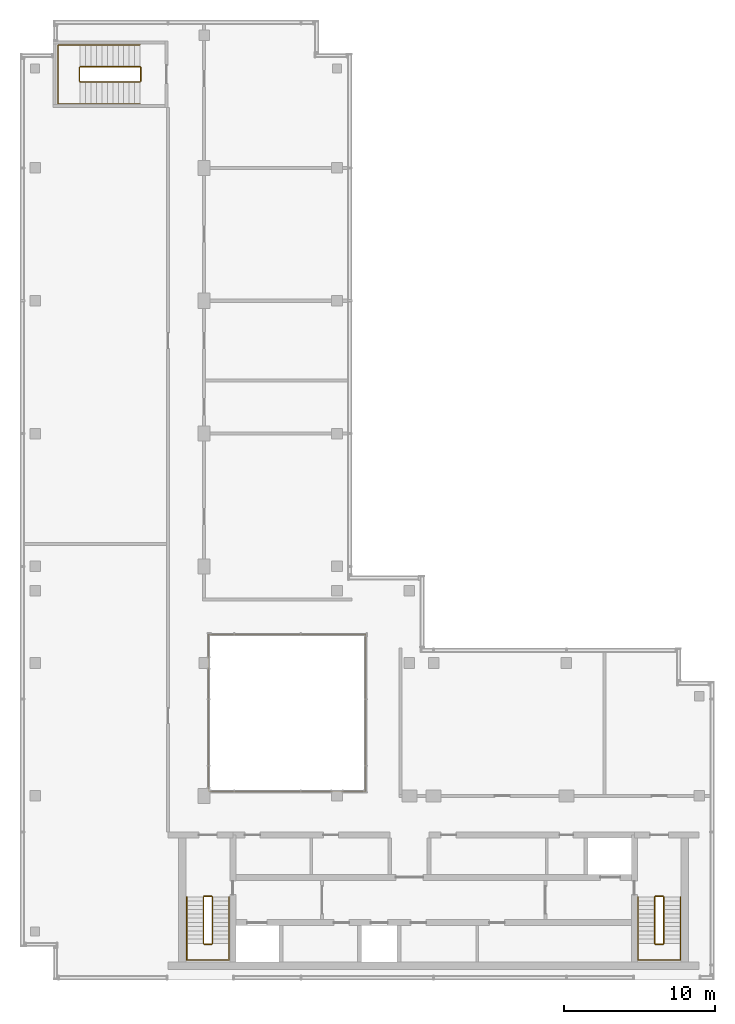
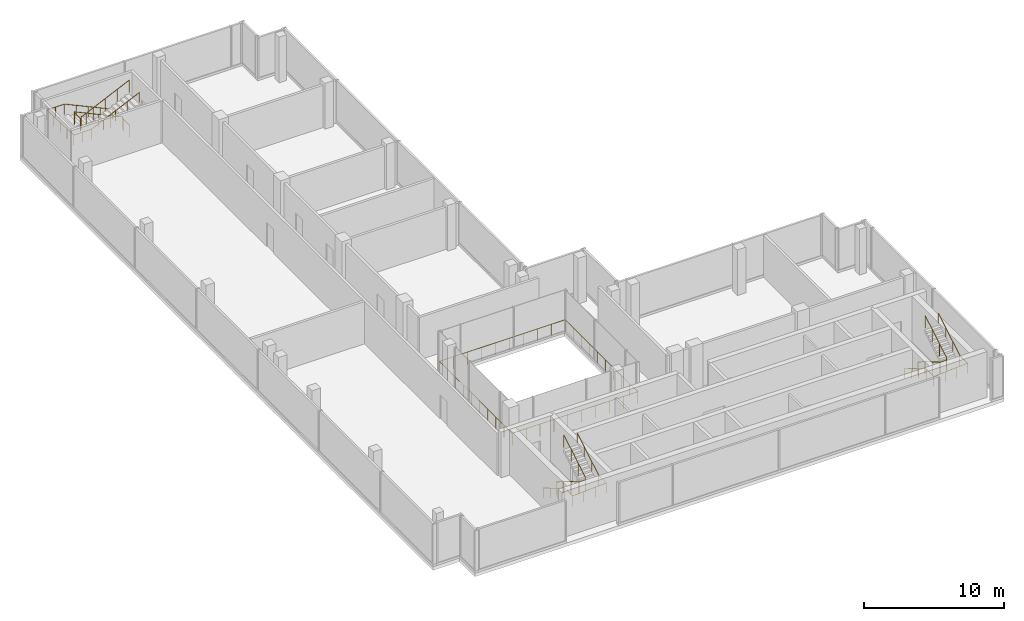
# One storey, part 10 of 10: 7 railings.
"""IFC4 building model written with IfcOpenShell, lengths in metres."""

from ifc_helpers import new_model, si_unit, direction, frame, origin, origin_2d, place, context, subcontext, project, spatial, circle, extrude, material, type_object, element, save


model = new_model("IFC4")

# Units and contexts
model_context = context("Model", 3, precision=1e-05, world=origin(), true_north=direction((0.0, 1.0)))
body_context = subcontext(model_context, "Body", "Model", "MODEL_VIEW")
ifc_project = project(units=[si_unit("LENGTHUNIT", "METRE"), si_unit("AREAUNIT", "SQUARE_METRE"), si_unit("VOLUMEUNIT", "CUBIC_METRE"), si_unit("PLANEANGLEUNIT", "RADIAN"), si_unit("MASSUNIT", "GRAM", prefix="KILO")], contexts=[model_context])

# Site, building, storey
site_placement = place(None, origin())
site = spatial("IfcSite", under=ifc_project, at=site_placement, CompositionType="ELEMENT")
building_placement = place(site_placement, origin())
building = spatial("IfcBuilding", under=site, at=building_placement, Name="Kemantara Hotel Tower", CompositionType="ELEMENT")
storey_placement = place(building_placement, frame((0.0, 0.0, 318.199951171875)))
storey = spatial("IfcBuildingStorey", under=building, at=storey_placement, Name="L80", CompositionType="ELEMENT", Elevation=318.199951171875)

# Railings
ifc_material = material(Name="Stainless steel balustrade", Category="steel")
railing_type_1 = type_object("IfcRailingType", Name="STAINLESS STEEL GUARD 1100", PredefinedType="GUARDRAIL", material=ifc_material)
railing_1_placement = place(storey_placement, frame((12.5, 12.5, 0.0)))
element("IfcRailing", 1, at=railing_1_placement, inside=storey, type_object=railing_type_1, Name="ATRIUM GUARD", PredefinedType="GUARDRAIL", context=body_context, shape_type="SweptSolid", body=[
    extrude(circle(Radius=0.02392578125, at=origin_2d()), frame((0.0, 0.0, 1.076171875), z_axis=(1.0, 0.0, 0.0), x_axis=(0.0, 1.0, 0.0)), (0.0, 0.0, 1.0), 10.39990234375),
    extrude(circle(Radius=0.02392578125, at=origin_2d()), frame((10.39990234375, 0.0, 1.076171875), z_axis=(0.0, 1.0, 0.0), x_axis=(-1.0, 0.0, 0.0)), (0.0, 0.0, 1.0), 10.39990234375),
    extrude(circle(Radius=0.02392578125, at=origin_2d()), frame((10.39990234375, 10.39990234375, 1.076171875), z_axis=(-1.0, 0.0, 0.0), x_axis=(0.0, -1.0, 0.0)), (0.0, 0.0, 1.0), 10.39990234375),
    extrude(circle(Radius=0.02392578125, at=origin_2d()), frame((0.0, 10.39990234375, 1.076171875), z_axis=(0.0, -1.0, 0.0), x_axis=(1.0, 0.0, 0.0)), (0.0, 0.0, 1.0), 10.39990234375),
    extrude(circle(Radius=0.02099609375, at=origin_2d()), origin(), (0.0, 0.0, 1.0), 1.052001953125),
    extrude(circle(Radius=0.02099609375, at=origin_2d()), frame((1.155517578125, 0.0, 0.0)), (0.0, 0.0, 1.0), 1.052001953125),
    extrude(circle(Radius=0.02099609375, at=origin_2d()), frame((2.31103515625, 0.0, 0.0)), (0.0, 0.0, 1.0), 1.052001953125),
    extrude(circle(Radius=0.02099609375, at=origin_2d()), frame((3.466552734375, 0.0, 0.0)), (0.0, 0.0, 1.0), 1.052001953125),
    extrude(circle(Radius=0.02099609375, at=origin_2d()), frame((4.6220703125, 0.0, 0.0)), (0.0, 0.0, 1.0), 1.052001953125),
    extrude(circle(Radius=0.02099609375, at=origin_2d()), frame((5.77783203125, 0.0, 0.0)), (0.0, 0.0, 1.0), 1.052001953125),
    extrude(circle(Radius=0.02099609375, at=origin_2d()), frame((6.933349609375, 0.0, 0.0)), (0.0, 0.0, 1.0), 1.052001953125),
    extrude(circle(Radius=0.02099609375, at=origin_2d()), frame((8.0888671875, 0.0, 0.0)), (0.0, 0.0, 1.0), 1.052001953125),
    extrude(circle(Radius=0.02099609375, at=origin_2d()), frame((9.244384765625, 0.0, 0.0)), (0.0, 0.0, 1.0), 1.052001953125),
    extrude(circle(Radius=0.02099609375, at=origin_2d()), frame((10.39990234375, 0.0, 0.0)), (0.0, 0.0, 1.0), 1.052001953125),
    extrude(circle(Radius=0.02099609375, at=origin_2d()), frame((10.39990234375, 1.155517578125, 0.0)), (0.0, 0.0, 1.0), 1.052001953125),
    extrude(circle(Radius=0.02099609375, at=origin_2d()), frame((10.39990234375, 2.31103515625, 0.0)), (0.0, 0.0, 1.0), 1.052001953125),
    extrude(circle(Radius=0.02099609375, at=origin_2d()), frame((10.39990234375, 3.466552734375, 0.0)), (0.0, 0.0, 1.0), 1.052001953125),
    extrude(circle(Radius=0.02099609375, at=origin_2d()), frame((10.39990234375, 4.6220703125, 0.0)), (0.0, 0.0, 1.0), 1.052001953125),
    extrude(circle(Radius=0.02099609375, at=origin_2d()), frame((10.39990234375, 5.77783203125, 0.0)), (0.0, 0.0, 1.0), 1.052001953125),
    extrude(circle(Radius=0.02099609375, at=origin_2d()), frame((10.39990234375, 6.933349609375, 0.0)), (0.0, 0.0, 1.0), 1.052001953125),
    extrude(circle(Radius=0.02099609375, at=origin_2d()), frame((10.39990234375, 8.0888671875, 0.0)), (0.0, 0.0, 1.0), 1.052001953125),
    extrude(circle(Radius=0.02099609375, at=origin_2d()), frame((10.39990234375, 9.244384765625, 0.0)), (0.0, 0.0, 1.0), 1.052001953125),
    extrude(circle(Radius=0.02099609375, at=origin_2d()), frame((10.39990234375, 10.39990234375, 0.0)), (0.0, 0.0, 1.0), 1.052001953125),
    extrude(circle(Radius=0.02099609375, at=origin_2d()), frame((9.244384765625, 10.39990234375, 0.0)), (0.0, 0.0, 1.0), 1.052001953125),
    extrude(circle(Radius=0.02099609375, at=origin_2d()), frame((8.0888671875, 10.39990234375, 0.0)), (0.0, 0.0, 1.0), 1.052001953125),
    extrude(circle(Radius=0.02099609375, at=origin_2d()), frame((6.933349609375, 10.39990234375, 0.0)), (0.0, 0.0, 1.0), 1.052001953125),
    extrude(circle(Radius=0.02099609375, at=origin_2d()), frame((5.77783203125, 10.39990234375, 0.0)), (0.0, 0.0, 1.0), 1.052001953125),
    extrude(circle(Radius=0.02099609375, at=origin_2d()), frame((4.6220703125, 10.39990234375, 0.0)), (0.0, 0.0, 1.0), 1.052001953125),
    extrude(circle(Radius=0.02099609375, at=origin_2d()), frame((3.466552734375, 10.39990234375, 0.0)), (0.0, 0.0, 1.0), 1.052001953125),
    extrude(circle(Radius=0.02099609375, at=origin_2d()), frame((2.31103515625, 10.39990234375, 0.0)), (0.0, 0.0, 1.0), 1.052001953125),
    extrude(circle(Radius=0.02099609375, at=origin_2d()), frame((1.155517578125, 10.39990234375, 0.0)), (0.0, 0.0, 1.0), 1.052001953125),
    extrude(circle(Radius=0.02099609375, at=origin_2d()), frame((0.0, 10.39990234375, 0.0)), (0.0, 0.0, 1.0), 1.052001953125),
    extrude(circle(Radius=0.02099609375, at=origin_2d()), frame((0.0, 9.244384765625, 0.0)), (0.0, 0.0, 1.0), 1.052001953125),
    extrude(circle(Radius=0.02099609375, at=origin_2d()), frame((0.0, 8.0888671875, 0.0)), (0.0, 0.0, 1.0), 1.052001953125),
    extrude(circle(Radius=0.02099609375, at=origin_2d()), frame((0.0, 6.933349609375, 0.0)), (0.0, 0.0, 1.0), 1.052001953125),
    extrude(circle(Radius=0.02099609375, at=origin_2d()), frame((0.0, 5.77783203125, 0.0)), (0.0, 0.0, 1.0), 1.052001953125),
    extrude(circle(Radius=0.02099609375, at=origin_2d()), frame((0.0, 4.6220703125, 0.0)), (0.0, 0.0, 1.0), 1.052001953125),
    extrude(circle(Radius=0.02099609375, at=origin_2d()), frame((0.0, 3.466552734375, 0.0)), (0.0, 0.0, 1.0), 1.052001953125),
    extrude(circle(Radius=0.02099609375, at=origin_2d()), frame((0.0, 2.31103515625, 0.0)), (0.0, 0.0, 1.0), 1.052001953125),
    extrude(circle(Radius=0.02099609375, at=origin_2d()), frame((0.0, 1.155517578125, 0.0)), (0.0, 0.0, 1.0), 1.052001953125),
])
railing_type_2 = type_object("IfcRailingType", Name="Stair guard 1100 mm", PredefinedType="GUARDRAIL", material=ifc_material)
railing_2_placement = place(storey_placement, frame((12.75, 5.5, 4.0)))
element("IfcRailing", 2, at=railing_2_placement, inside=storey, type_object=railing_type_2, Name="L80 ST1 stair guard 1", PredefinedType="GUARDRAIL", context=body_context, shape_type="SweptSolid", body=[
    extrude(circle(Radius=0.02392578125, at=origin_2d()), frame((0.0, 0.0, 1.076171875), z_axis=(0.0, -0.859308565015, -0.511457515432), x_axis=(1.0, 0.0, 0.0)), (0.0, 0.0, 1.0), 3.58447265625),
    extrude(circle(Radius=0.02392578125, at=origin_2d()), frame((0.0, -3.080078125, -0.75732421875), z_axis=(-0.276389281352, -0.275041040955, -0.920848191041), x_axis=(0.705375805398, -0.708833529934, 0.0)), (0.0, 0.0, 1.0), 0.18115234375),
    extrude(circle(Radius=0.02392578125, at=origin_2d()), frame((-0.050048828125, -3.1298828125, -0.923828125), z_axis=(-1.0, 0.0, 0.0), x_axis=(0.0, -1.0, 0.0)), (0.0, 0.0, 1.0), 0.5),
    extrude(circle(Radius=0.02392578125, at=origin_2d()), frame((-0.550048828125, -3.1298828125, -0.923828125), z_axis=(-0.708833529934, 0.705375805398, 0.0), x_axis=(-0.705375805398, -0.708833529934, 0.0)), (0.0, 0.0, 1.0), 0.070556640625),
    extrude(circle(Radius=0.02392578125, at=origin_2d()), frame((-0.60009765625, -3.080078125, -0.923828125), z_axis=(0.0, 0.859308565015, -0.511457515432), x_axis=(-1.0, 0.0, 0.0)), (0.0, 0.0, 1.0), 3.58447265625),
    extrude(circle(Radius=0.02392578125, at=origin_2d()), frame((-0.60009765625, 0.0, -2.75732421875), z_axis=(0.27628659633, 0.27628659633, -0.920506074601), x_axis=(-0.707106781187, 0.707106781187, 0.0)), (0.0, 0.0, 1.0), 0.18115234375),
    extrude(circle(Radius=0.02392578125, at=origin_2d()), frame((-0.550048828125, 0.050048828125, -2.923828125), z_axis=(1.0, 0.0, 0.0), x_axis=(0.0, 1.0, 0.0)), (0.0, 0.0, 1.0), 0.5),
    extrude(circle(Radius=0.02099609375, at=origin_2d()), origin(), (0.0, 0.0, 1.0), 1.052001953125),
    extrude(circle(Radius=0.02099609375, at=origin_2d()), frame((0.0, -1.026611328125, -0.611083984375)), (0.0, 0.0, 1.0), 1.052001953125),
    extrude(circle(Radius=0.02099609375, at=origin_2d()), frame((0.0, -2.053466796875, -1.22216796875)), (0.0, 0.0, 1.0), 1.052001953125),
    extrude(circle(Radius=0.02099609375, at=origin_2d()), frame((0.0, -3.080078125, -1.833251953125)), (0.0, 0.0, 1.0), 1.052001953125),
    extrude(circle(Radius=0.02099609375, at=origin_2d()), frame((-0.050048828125, -3.1298828125, -2.0)), (0.0, 0.0, 1.0), 1.052001953125),
    extrude(circle(Radius=0.02099609375, at=origin_2d()), frame((-0.550048828125, -3.1298828125, -2.0)), (0.0, 0.0, 1.0), 1.052001953125),
    extrude(circle(Radius=0.02099609375, at=origin_2d()), frame((-0.60009765625, -3.080078125, -2.0)), (0.0, 0.0, 1.0), 1.052001953125),
    extrude(circle(Radius=0.02099609375, at=origin_2d()), frame((-0.60009765625, -2.053466796875, -2.611083984375)), (0.0, 0.0, 1.0), 1.052001953125),
    extrude(circle(Radius=0.02099609375, at=origin_2d()), frame((-0.60009765625, -1.026611328125, -3.22216796875)), (0.0, 0.0, 1.0), 1.052001953125),
    extrude(circle(Radius=0.02099609375, at=origin_2d()), frame((-0.60009765625, 0.0, -3.833251953125)), (0.0, 0.0, 1.0), 1.052001953125),
    extrude(circle(Radius=0.02099609375, at=origin_2d()), frame((-0.550048828125, 0.050048828125, -4.0)), (0.0, 0.0, 1.0), 1.052001953125),
    extrude(circle(Radius=0.02099609375, at=origin_2d()), frame((-0.050048828125, 0.050048828125, -4.0)), (0.0, 0.0, 1.0), 1.052001953125),
])
railing_3_placement = place(storey_placement, frame((42.64990234375, 5.5, 4.0)))
element("IfcRailing", 3, at=railing_3_placement, inside=storey, type_object=railing_type_2, Name="L80 ST2 stair guard 1", PredefinedType="GUARDRAIL", context=body_context, shape_type="SweptSolid", body=[
    extrude(circle(Radius=0.02392578125, at=origin_2d()), frame((0.0, 0.0, 1.076171875), z_axis=(0.0, -0.859308565015, -0.511457515432), x_axis=(1.0, 0.0, 0.0)), (0.0, 0.0, 1.0), 3.58447265625),
    extrude(circle(Radius=0.02392578125, at=origin_2d()), frame((0.0, -3.080078125, -0.75732421875), z_axis=(-0.275143339093, -0.275143339093, -0.92119068922), x_axis=(0.707106781187, -0.707106781187, 0.0)), (0.0, 0.0, 1.0), 0.180908203125),
    extrude(circle(Radius=0.02392578125, at=origin_2d()), frame((-0.0498046875, -3.1298828125, -0.923828125), z_axis=(-1.0, 0.0, 0.0), x_axis=(0.0, -1.0, 0.0)), (0.0, 0.0, 1.0), 0.5),
    extrude(circle(Radius=0.02392578125, at=origin_2d()), frame((-0.5498046875, -3.1298828125, -0.923828125), z_axis=(-0.708833529934, 0.705375805398, 0.0), x_axis=(-0.705375805398, -0.708833529934, 0.0)), (0.0, 0.0, 1.0), 0.070556640625),
    extrude(circle(Radius=0.02392578125, at=origin_2d()), frame((-0.599853515625, -3.080078125, -0.923828125), z_axis=(0.0, 0.859308565015, -0.511457515432), x_axis=(-1.0, 0.0, 0.0)), (0.0, 0.0, 1.0), 3.58447265625),
    extrude(circle(Radius=0.02392578125, at=origin_2d()), frame((-0.599853515625, 0.0, -2.75732421875), z_axis=(0.27628659633, 0.27628659633, -0.920506074601), x_axis=(-0.707106781187, 0.707106781187, 0.0)), (0.0, 0.0, 1.0), 0.18115234375),
    extrude(circle(Radius=0.02392578125, at=origin_2d()), frame((-0.5498046875, 0.050048828125, -2.923828125), z_axis=(1.0, 0.0, 0.0), x_axis=(0.0, 1.0, 0.0)), (0.0, 0.0, 1.0), 0.5),
    extrude(circle(Radius=0.02099609375, at=origin_2d()), origin(), (0.0, 0.0, 1.0), 1.052001953125),
    extrude(circle(Radius=0.02099609375, at=origin_2d()), frame((0.0, -1.026611328125, -0.611083984375)), (0.0, 0.0, 1.0), 1.052001953125),
    extrude(circle(Radius=0.02099609375, at=origin_2d()), frame((0.0, -2.053466796875, -1.22216796875)), (0.0, 0.0, 1.0), 1.052001953125),
    extrude(circle(Radius=0.02099609375, at=origin_2d()), frame((0.0, -3.080078125, -1.833251953125)), (0.0, 0.0, 1.0), 1.052001953125),
    extrude(circle(Radius=0.02099609375, at=origin_2d()), frame((-0.0498046875, -3.1298828125, -2.0)), (0.0, 0.0, 1.0), 1.052001953125),
    extrude(circle(Radius=0.02099609375, at=origin_2d()), frame((-0.5498046875, -3.1298828125, -2.0)), (0.0, 0.0, 1.0), 1.052001953125),
    extrude(circle(Radius=0.02099609375, at=origin_2d()), frame((-0.599853515625, -3.080078125, -2.0)), (0.0, 0.0, 1.0), 1.052001953125),
    extrude(circle(Radius=0.02099609375, at=origin_2d()), frame((-0.599853515625, -2.053466796875, -2.611083984375)), (0.0, 0.0, 1.0), 1.052001953125),
    extrude(circle(Radius=0.02099609375, at=origin_2d()), frame((-0.599853515625, -1.026611328125, -3.22216796875)), (0.0, 0.0, 1.0), 1.052001953125),
    extrude(circle(Radius=0.02099609375, at=origin_2d()), frame((-0.599853515625, 0.0, -3.833251953125)), (0.0, 0.0, 1.0), 1.052001953125),
    extrude(circle(Radius=0.02099609375, at=origin_2d()), frame((-0.5498046875, 0.050048828125, -4.0)), (0.0, 0.0, 1.0), 1.052001953125),
    extrude(circle(Radius=0.02099609375, at=origin_2d()), frame((-0.0498046875, 0.050048828125, -4.0)), (0.0, 0.0, 1.0), 1.052001953125),
])
railing_4_placement = place(storey_placement, frame((7.949951171875, 59.5, 4.0)))
element("IfcRailing", 4, at=railing_4_placement, inside=storey, type_object=railing_type_2, Name="L80 ST4 stair guard 1", PredefinedType="GUARDRAIL", context=body_context, shape_type="SweptSolid", body=[
    extrude(circle(Radius=0.02392578125, at=origin_2d()), frame((0.0, 0.0, 1.076171875), z_axis=(-0.907472437036, 0.0, -0.420111623286), x_axis=(0.0, -1.0, 0.0)), (0.0, 0.0, 1.0), 4.36376953125),
    extrude(circle(Radius=0.02392578125, at=origin_2d()), frame((-3.9599609375, 0.0, -0.75732421875), z_axis=(-0.27628659633, 0.27628659633, -0.920506074601), x_axis=(-0.707106781187, -0.707106781187, 0.0)), (0.0, 0.0, 1.0), 0.18115234375),
    extrude(circle(Radius=0.02392578125, at=origin_2d()), frame((-4.010009765625, 0.050048828125, -0.923828125), z_axis=(0.0, 1.0, 0.0), x_axis=(-1.0, 0.0, 0.0)), (0.0, 0.0, 1.0), 0.89990234375),
    extrude(circle(Radius=0.02392578125, at=origin_2d()), frame((-4.010009765625, 0.949951171875, -0.923828125), z_axis=(0.707106781187, 0.707106781187, 0.0), x_axis=(-0.707106781187, 0.707106781187, 0.0)), (0.0, 0.0, 1.0), 0.07080078125),
    extrude(circle(Radius=0.02392578125, at=origin_2d()), frame((-3.9599609375, 1.0, -0.923828125), z_axis=(0.907472437036, 0.0, -0.420111623286), x_axis=(0.0, 1.0, 0.0)), (0.0, 0.0, 1.0), 4.36376953125),
    extrude(circle(Radius=0.02392578125, at=origin_2d()), frame((0.0, 1.0, -2.75732421875), z_axis=(0.27628659633, -0.27628659633, -0.920506074601), x_axis=(0.707106781187, 0.707106781187, 0.0)), (0.0, 0.0, 1.0), 0.18115234375),
    extrude(circle(Radius=0.02392578125, at=origin_2d()), frame((0.050048828125, 0.949951171875, -2.923828125), z_axis=(0.0, -1.0, 0.0), x_axis=(1.0, 0.0, 0.0)), (0.0, 0.0, 1.0), 0.89990234375),
    extrude(circle(Radius=0.02099609375, at=origin_2d()), origin(), (0.0, 0.0, 1.0), 1.052001953125),
    extrude(circle(Radius=0.02099609375, at=origin_2d()), frame((-0.989990234375, 0.0, -0.458251953125)), (0.0, 0.0, 1.0), 1.052001953125),
    extrude(circle(Radius=0.02099609375, at=origin_2d()), frame((-1.97998046875, 0.0, -0.91650390625)), (0.0, 0.0, 1.0), 1.052001953125),
    extrude(circle(Radius=0.02099609375, at=origin_2d()), frame((-2.969970703125, 0.0, -1.375)), (0.0, 0.0, 1.0), 1.052001953125),
    extrude(circle(Radius=0.02099609375, at=origin_2d()), frame((-3.9599609375, 0.0, -1.833251953125)), (0.0, 0.0, 1.0), 1.052001953125),
    extrude(circle(Radius=0.02099609375, at=origin_2d()), frame((-4.010009765625, 0.050048828125, -2.0)), (0.0, 0.0, 1.0), 1.052001953125),
    extrude(circle(Radius=0.02099609375, at=origin_2d()), frame((-4.010009765625, 0.949951171875, -2.0)), (0.0, 0.0, 1.0), 1.052001953125),
    extrude(circle(Radius=0.02099609375, at=origin_2d()), frame((-3.9599609375, 1.0, -2.0)), (0.0, 0.0, 1.0), 1.052001953125),
    extrude(circle(Radius=0.02099609375, at=origin_2d()), frame((-2.969970703125, 1.0, -2.458251953125)), (0.0, 0.0, 1.0), 1.052001953125),
    extrude(circle(Radius=0.02099609375, at=origin_2d()), frame((-1.97998046875, 1.0, -2.91650390625)), (0.0, 0.0, 1.0), 1.052001953125),
    extrude(circle(Radius=0.02099609375, at=origin_2d()), frame((-0.989990234375, 1.0, -3.375)), (0.0, 0.0, 1.0), 1.052001953125),
    extrude(circle(Radius=0.02099609375, at=origin_2d()), frame((0.0, 1.0, -3.833251953125)), (0.0, 0.0, 1.0), 1.052001953125),
    extrude(circle(Radius=0.02099609375, at=origin_2d()), frame((0.050048828125, 0.949951171875, -4.0)), (0.0, 0.0, 1.0), 1.052001953125),
    extrude(circle(Radius=0.02099609375, at=origin_2d()), frame((0.050048828125, 0.050048828125, -4.0)), (0.0, 0.0, 1.0), 1.052001953125),
])
railing_type_3 = type_object("IfcRailingType", Name="Stair handrail 900 mm", PredefinedType="HANDRAIL", material=ifc_material)
railing_5_placement = place(storey_placement, frame((11.050048828125, 5.5, 0.166748046875)))
element("IfcRailing", 5, at=railing_5_placement, inside=storey, type_object=railing_type_3, Name="L80 ST1 stair handrail 1", PredefinedType="HANDRAIL", context=body_context, shape_type="SweptSolid", body=[
    extrude(circle(Radius=0.02392578125, at=origin_2d()), frame((0.0, 0.0, 0.8759765625), z_axis=(0.0, -0.859308565015, 0.511457515432), x_axis=(1.0, 0.0, 0.0)), (0.0, 0.0, 1.0), 3.58447265625),
    extrude(circle(Radius=0.02392578125, at=origin_2d()), frame((0.0, -3.080078125, 2.708984375), z_axis=(0.0, -1.0, 0.0), x_axis=(1.0, 0.0, 0.0)), (0.0, 0.0, 1.0), 1.099853515625),
    extrude(circle(Radius=0.02392578125, at=origin_2d()), frame((0.0, -4.179931640625, 2.708984375), z_axis=(0.998231491969, 0.0, 0.059446517483), x_axis=(0.0, 1.0, 0.0)), (0.0, 0.0, 1.0), 2.804931640625),
    extrude(circle(Radius=0.02392578125, at=origin_2d()), frame((2.800048828125, -4.179931640625, 2.8759765625), z_axis=(0.0, 1.0, 0.0), x_axis=(-1.0, 0.0, 0.0)), (0.0, 0.0, 1.0), 1.099853515625),
    extrude(circle(Radius=0.02392578125, at=origin_2d()), frame((2.800048828125, -3.080078125, 2.8759765625), z_axis=(0.0, 0.859308565015, 0.511457515432), x_axis=(-1.0, 0.0, 0.0)), (0.0, 0.0, 1.0), 3.58447265625),
    extrude(circle(Radius=0.02099609375, at=origin_2d()), origin(), (0.0, 0.0, 1.0), 0.851806640625),
    extrude(circle(Radius=0.02099609375, at=origin_2d()), frame((0.0, -1.026611328125, 0.611083984375)), (0.0, 0.0, 1.0), 0.851806640625),
    extrude(circle(Radius=0.02099609375, at=origin_2d()), frame((0.0, -2.053466796875, 1.22216796875)), (0.0, 0.0, 1.0), 0.851806640625),
    extrude(circle(Radius=0.02099609375, at=origin_2d()), frame((0.0, -3.080078125, 1.833251953125)), (0.0, 0.0, 1.0), 0.851806640625),
    extrude(circle(Radius=0.02099609375, at=origin_2d()), frame((0.0, -4.179931640625, 1.833251953125)), (0.0, 0.0, 1.0), 0.851806640625),
    extrude(circle(Radius=0.02099609375, at=origin_2d()), frame((0.933349609375, -4.179931640625, 1.888916015625)), (0.0, 0.0, 1.0), 0.851806640625),
    extrude(circle(Radius=0.02099609375, at=origin_2d()), frame((1.86669921875, -4.179931640625, 1.9443359375)), (0.0, 0.0, 1.0), 0.851806640625),
    extrude(circle(Radius=0.02099609375, at=origin_2d()), frame((2.800048828125, -4.179931640625, 2.0)), (0.0, 0.0, 1.0), 0.851806640625),
    extrude(circle(Radius=0.02099609375, at=origin_2d()), frame((2.800048828125, -3.080078125, 2.0)), (0.0, 0.0, 1.0), 0.851806640625),
    extrude(circle(Radius=0.02099609375, at=origin_2d()), frame((2.800048828125, -2.053466796875, 2.611083984375)), (0.0, 0.0, 1.0), 0.851806640625),
    extrude(circle(Radius=0.02099609375, at=origin_2d()), frame((2.800048828125, -1.026611328125, 3.22216796875)), (0.0, 0.0, 1.0), 0.851806640625),
    extrude(circle(Radius=0.02099609375, at=origin_2d()), frame((2.800048828125, 0.0, 3.833251953125)), (0.0, 0.0, 1.0), 0.851806640625),
])
railing_6_placement = place(storey_placement, frame((40.949951171875, 5.5, 0.166748046875)))
element("IfcRailing", 6, at=railing_6_placement, inside=storey, type_object=railing_type_3, Name="L80 ST2 stair handrail 1", PredefinedType="HANDRAIL", context=body_context, shape_type="SweptSolid", body=[
    extrude(circle(Radius=0.02392578125, at=origin_2d()), frame((0.0, 0.0, 0.8759765625), z_axis=(0.0, -0.859308565015, 0.511457515432), x_axis=(1.0, 0.0, 0.0)), (0.0, 0.0, 1.0), 3.58447265625),
    extrude(circle(Radius=0.02392578125, at=origin_2d()), frame((0.0, -3.080078125, 2.708984375), z_axis=(0.0, -1.0, 0.0), x_axis=(1.0, 0.0, 0.0)), (0.0, 0.0, 1.0), 1.099853515625),
    extrude(circle(Radius=0.02392578125, at=origin_2d()), frame((0.0, -4.179931640625, 2.708984375), z_axis=(0.998231491969, 0.0, 0.059446517483), x_axis=(0.0, 1.0, 0.0)), (0.0, 0.0, 1.0), 2.804931640625),
    extrude(circle(Radius=0.02392578125, at=origin_2d()), frame((2.800048828125, -4.179931640625, 2.8759765625), z_axis=(0.0, 1.0, 0.0), x_axis=(-1.0, 0.0, 0.0)), (0.0, 0.0, 1.0), 1.099853515625),
    extrude(circle(Radius=0.02392578125, at=origin_2d()), frame((2.800048828125, -3.080078125, 2.8759765625), z_axis=(0.0, 0.859308565015, 0.511457515432), x_axis=(-1.0, 0.0, 0.0)), (0.0, 0.0, 1.0), 3.58447265625),
    extrude(circle(Radius=0.02099609375, at=origin_2d()), origin(), (0.0, 0.0, 1.0), 0.851806640625),
    extrude(circle(Radius=0.02099609375, at=origin_2d()), frame((0.0, -1.026611328125, 0.611083984375)), (0.0, 0.0, 1.0), 0.851806640625),
    extrude(circle(Radius=0.02099609375, at=origin_2d()), frame((0.0, -2.053466796875, 1.22216796875)), (0.0, 0.0, 1.0), 0.851806640625),
    extrude(circle(Radius=0.02099609375, at=origin_2d()), frame((0.0, -3.080078125, 1.833251953125)), (0.0, 0.0, 1.0), 0.851806640625),
    extrude(circle(Radius=0.02099609375, at=origin_2d()), frame((0.0, -4.179931640625, 1.833251953125)), (0.0, 0.0, 1.0), 0.851806640625),
    extrude(circle(Radius=0.02099609375, at=origin_2d()), frame((0.933349609375, -4.179931640625, 1.888916015625)), (0.0, 0.0, 1.0), 0.851806640625),
    extrude(circle(Radius=0.02099609375, at=origin_2d()), frame((1.86669921875, -4.179931640625, 1.9443359375)), (0.0, 0.0, 1.0), 0.851806640625),
    extrude(circle(Radius=0.02099609375, at=origin_2d()), frame((2.800048828125, -4.179931640625, 2.0)), (0.0, 0.0, 1.0), 0.851806640625),
    extrude(circle(Radius=0.02099609375, at=origin_2d()), frame((2.800048828125, -3.080078125, 2.0)), (0.0, 0.0, 1.0), 0.851806640625),
    extrude(circle(Radius=0.02099609375, at=origin_2d()), frame((2.800048828125, -2.053466796875, 2.611083984375)), (0.0, 0.0, 1.0), 0.851806640625),
    extrude(circle(Radius=0.02099609375, at=origin_2d()), frame((2.800048828125, -1.026611328125, 3.22216796875)), (0.0, 0.0, 1.0), 0.851806640625),
    extrude(circle(Radius=0.02099609375, at=origin_2d()), frame((2.800048828125, 0.0, 3.833251953125)), (0.0, 0.0, 1.0), 0.851806640625),
])
railing_7_placement = place(storey_placement, frame((7.949951171875, 61.949951171875, 0.166748046875)))
element("IfcRailing", 7, at=railing_7_placement, inside=storey, type_object=railing_type_3, Name="L80 ST4 stair handrail 1", PredefinedType="HANDRAIL", context=body_context, shape_type="SweptSolid", body=[
    extrude(circle(Radius=0.02392578125, at=origin_2d()), frame((0.0, 0.0, 0.8759765625), z_axis=(-0.907472437036, 0.0, 0.420111623286), x_axis=(0.0, -1.0, 0.0)), (0.0, 0.0, 1.0), 4.36376953125),
    extrude(circle(Radius=0.02392578125, at=origin_2d()), frame((-3.9599609375, 0.0, 2.708984375), z_axis=(-1.0, 0.0, 0.0), x_axis=(0.0, -1.0, 0.0)), (0.0, 0.0, 1.0), 1.469970703125),
    extrude(circle(Radius=0.02392578125, at=origin_2d()), frame((-5.429931640625, 0.0, 2.708984375), z_axis=(0.0, -0.999087171733, 0.042717950313), x_axis=(1.0, 0.0, 0.0)), (0.0, 0.0, 1.0), 3.903564453125),
    extrude(circle(Radius=0.02392578125, at=origin_2d()), frame((-5.429931640625, -3.89990234375, 2.8759765625), z_axis=(1.0, 0.0, 0.0), x_axis=(0.0, 1.0, 0.0)), (0.0, 0.0, 1.0), 1.469970703125),
    extrude(circle(Radius=0.02392578125, at=origin_2d()), frame((-3.9599609375, -3.89990234375, 2.8759765625), z_axis=(0.907472437036, 0.0, 0.420111623286), x_axis=(0.0, 1.0, 0.0)), (0.0, 0.0, 1.0), 4.36376953125),
    extrude(circle(Radius=0.02099609375, at=origin_2d()), origin(), (0.0, 0.0, 1.0), 0.851806640625),
    extrude(circle(Radius=0.02099609375, at=origin_2d()), frame((-0.989990234375, 0.0, 0.458251953125)), (0.0, 0.0, 1.0), 0.851806640625),
    extrude(circle(Radius=0.02099609375, at=origin_2d()), frame((-1.97998046875, 0.0, 0.91650390625)), (0.0, 0.0, 1.0), 0.851806640625),
    extrude(circle(Radius=0.02099609375, at=origin_2d()), frame((-2.969970703125, 0.0, 1.375)), (0.0, 0.0, 1.0), 0.851806640625),
    extrude(circle(Radius=0.02099609375, at=origin_2d()), frame((-3.9599609375, 0.0, 1.833251953125)), (0.0, 0.0, 1.0), 0.851806640625),
    extrude(circle(Radius=0.02099609375, at=origin_2d()), frame((-4.69482421875, 0.0, 1.833251953125)), (0.0, 0.0, 1.0), 0.851806640625),
    extrude(circle(Radius=0.02099609375, at=origin_2d()), frame((-5.429931640625, 0.0, 1.833251953125)), (0.0, 0.0, 1.0), 0.851806640625),
    extrude(circle(Radius=0.02099609375, at=origin_2d()), frame((-5.429931640625, -0.97509765625, 1.875)), (0.0, 0.0, 1.0), 0.851806640625),
    extrude(circle(Radius=0.02099609375, at=origin_2d()), frame((-5.429931640625, -1.949951171875, 1.91650390625)), (0.0, 0.0, 1.0), 0.851806640625),
    extrude(circle(Radius=0.02099609375, at=origin_2d()), frame((-5.429931640625, -2.9248046875, 1.958251953125)), (0.0, 0.0, 1.0), 0.851806640625),
    extrude(circle(Radius=0.02099609375, at=origin_2d()), frame((-5.429931640625, -3.89990234375, 2.0)), (0.0, 0.0, 1.0), 0.851806640625),
    extrude(circle(Radius=0.02099609375, at=origin_2d()), frame((-4.69482421875, -3.89990234375, 2.0)), (0.0, 0.0, 1.0), 0.851806640625),
    extrude(circle(Radius=0.02099609375, at=origin_2d()), frame((-3.9599609375, -3.89990234375, 2.0)), (0.0, 0.0, 1.0), 0.851806640625),
    extrude(circle(Radius=0.02099609375, at=origin_2d()), frame((-2.969970703125, -3.89990234375, 2.458251953125)), (0.0, 0.0, 1.0), 0.851806640625),
    extrude(circle(Radius=0.02099609375, at=origin_2d()), frame((-1.97998046875, -3.89990234375, 2.91650390625)), (0.0, 0.0, 1.0), 0.851806640625),
    extrude(circle(Radius=0.02099609375, at=origin_2d()), frame((-0.989990234375, -3.89990234375, 3.375)), (0.0, 0.0, 1.0), 0.851806640625),
    extrude(circle(Radius=0.02099609375, at=origin_2d()), frame((0.0, -3.89990234375, 3.833251953125)), (0.0, 0.0, 1.0), 0.851806640625),
])

save(model, "model.ifc")
